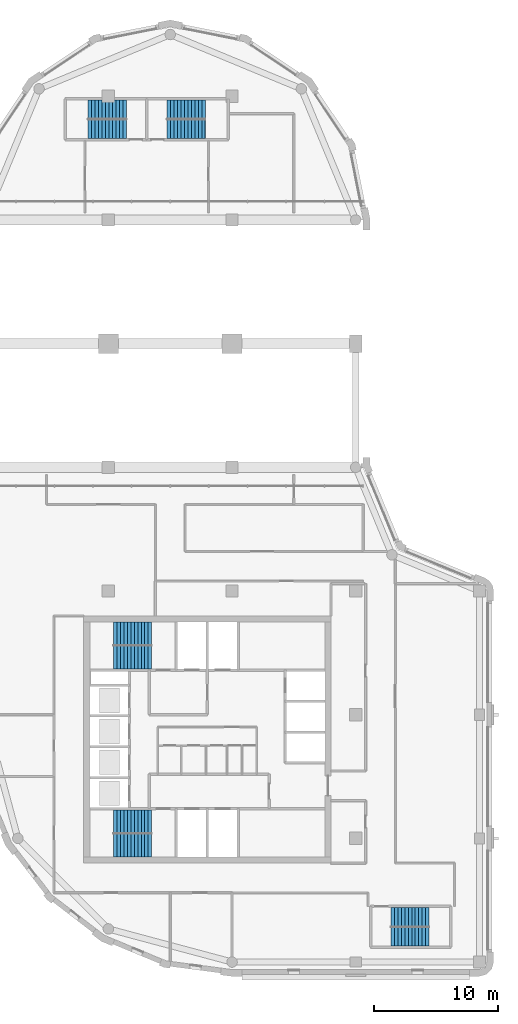
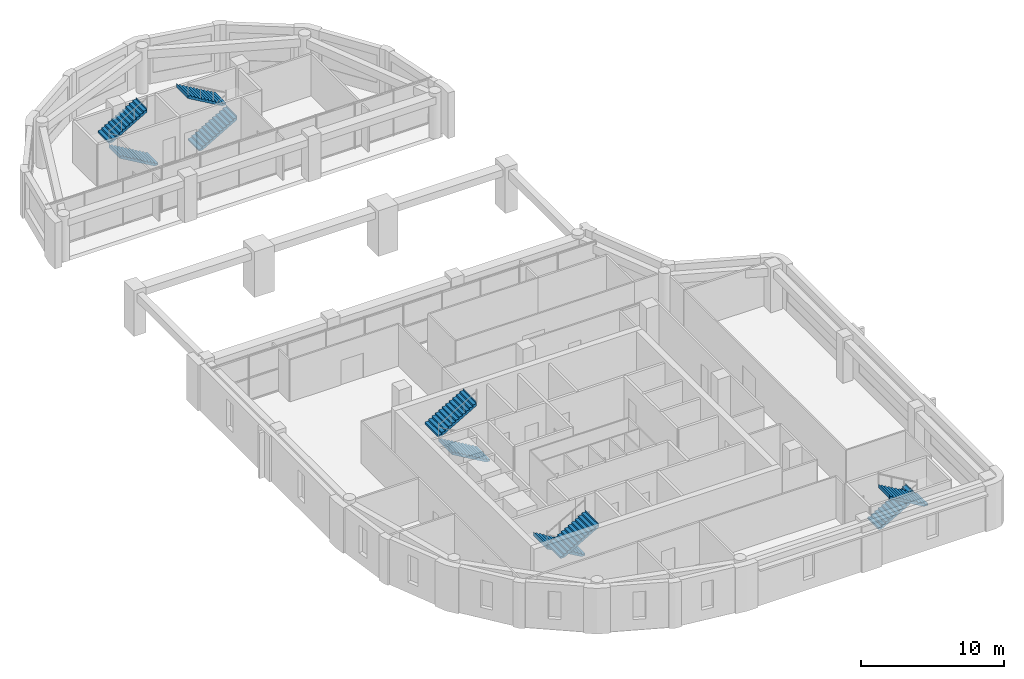
# One storey, part 9 of 11: 10 stair flights, 5 elements without a shape of their own.
"""IFC4 building model written with IfcOpenShell, lengths in metres."""

from ifc_helpers import new_model, si_unit, direction, frame, origin, place, context, subcontext, project, spatial, polyline, outline, extrude, material, type_object, element, aggregate, save


model = new_model("IFC4")

# Units and contexts
model_context = context("Model", 3, precision=1e-05, world=origin(), true_north=direction((0.0, 1.0)))
body_context = subcontext(model_context, "Body", "Model", "MODEL_VIEW")
ifc_project = project(units=[si_unit("LENGTHUNIT", "METRE"), si_unit("AREAUNIT", "SQUARE_METRE"), si_unit("VOLUMEUNIT", "CUBIC_METRE"), si_unit("PLANEANGLEUNIT", "RADIAN"), si_unit("MASSUNIT", "GRAM", prefix="KILO")], contexts=[model_context])

# Site, building, storey
site_placement = place(None, origin())
site = spatial("IfcSite", under=ifc_project, at=site_placement, CompositionType="ELEMENT")
building_placement = place(site_placement, origin())
building = spatial("IfcBuilding", under=site, at=building_placement, Name="Qaws Garden Tower", CompositionType="ELEMENT")
storey_placement = place(building_placement, frame((0.0, 0.0, 317.699951171875)))
storey = spatial("IfcBuildingStorey", under=building, at=storey_placement, Name="L77", CompositionType="ELEMENT", Elevation=317.699951171875)

# Stair, stair flights
ifc_material_1 = material(Name="Concrete C40", Category="concrete")
stair_type_1 = type_object("IfcStairType", Name="Exit stair 1350", PredefinedType="HALF_TURN_STAIR", material=ifc_material_1)
placement = place(storey_placement, origin())
stair_1 = element("IfcStair", 1, at=placement, inside=storey, type_object=stair_type_1, Name="Stair 5", PredefinedType="HALF_TURN_STAIR")
ifc_material_2 = material(Name="Concrete C40", Category="concrete")
stair_flight_type_1 = type_object("IfcStairFlightType", Name="Stair flight 1350", PredefinedType="STRAIGHT", material=ifc_material_2)
stair_flight_1_placement = place(storey_placement, frame((32.85009765625, 3.625, 0.0), z_axis=(0.0, 0.0, 1.0), x_axis=(1.0, 0.0, 0.0)))
stair_flight_1 = element("IfcStairFlight", 2, at=stair_flight_1_placement, type_object=stair_flight_type_1, Name="ST5 flight 1", NumberOfRisers=12, NumberOfTreads=11, PredefinedType="STRAIGHT", RiserHeight=0.1625, TreadLength=0.28, context=body_context, shape_type="SweptSolid", body=[
    extrude(outline(polyline([(-0.0029296875, 0.0), (-0.0029296875, 0.16259765625), (0.0, 0.16259765625), (0.280029296875, 0.16259765625), (0.280029296875, 0.324951171875), (0.56005859375, 0.324951171875), (0.56005859375, 0.487548828125), (0.840087890625, 0.487548828125), (0.840087890625, 0.64990234375), (1.1201171875, 0.64990234375), (1.1201171875, 0.8125), (1.39990234375, 0.8125), (1.39990234375, 0.97509765625), (1.679931640625, 0.97509765625), (1.679931640625, 1.137451171875), (1.9599609375, 1.137451171875), (1.9599609375, 1.300048828125), (2.239990234375, 1.300048828125), (2.239990234375, 1.46240234375), (2.52001953125, 1.46240234375), (2.52001953125, 1.625), (2.800048828125, 1.625), (2.800048828125, 1.78759765625), (3.080078125, 1.78759765625), (3.080078125, 1.949951171875), (3.0830078125, 1.949951171875), (3.0830078125, 1.6142578125), (3.080078125, 1.6142578125), (0.298583984375, 0.0), (-0.0029296875, 0.0)])), frame((0.0, 0.77490234375, 0.0), z_axis=(0.0, -1.0, 0.0), x_axis=(1.0, 0.0, 0.0)), (0.0, 0.0, 1.0), 1.550048828125),
])
stair_flight_2_placement = place(storey_placement, frame((35.929931640625, 2.074951171875, 1.949951171875), z_axis=(0.0, 0.0, 1.0), x_axis=(-1.0, 0.0, 0.0)))
stair_flight_2 = element("IfcStairFlight", 3, at=stair_flight_2_placement, type_object=stair_flight_type_1, Name="ST5 flight 2", NumberOfRisers=12, NumberOfTreads=11, PredefinedType="STRAIGHT", RiserHeight=0.1625, TreadLength=0.28, context=body_context, shape_type="SweptSolid", body=[
    extrude(outline(polyline([(-0.0029296875, 0.0), (-0.0029296875, 0.16259765625), (0.0, 0.16259765625), (0.280029296875, 0.16259765625), (0.280029296875, 0.324951171875), (0.56005859375, 0.324951171875), (0.56005859375, 0.487548828125), (0.840087890625, 0.487548828125), (0.840087890625, 0.64990234375), (1.1201171875, 0.64990234375), (1.1201171875, 0.8125), (1.39990234375, 0.8125), (1.39990234375, 0.97509765625), (1.679931640625, 0.97509765625), (1.679931640625, 1.137451171875), (1.9599609375, 1.137451171875), (1.9599609375, 1.300048828125), (2.239990234375, 1.300048828125), (2.239990234375, 1.46240234375), (2.52001953125, 1.46240234375), (2.52001953125, 1.625), (2.800048828125, 1.625), (2.800048828125, 1.78759765625), (3.080078125, 1.78759765625), (3.080078125, 1.949951171875), (3.0830078125, 1.949951171875), (3.0830078125, 1.6142578125), (3.080078125, 1.6142578125), (0.298583984375, 0.0), (-0.0029296875, 0.0)])), frame((0.0, 0.77490234375, 0.0), z_axis=(0.0, -1.0, 0.0), x_axis=(1.0, 0.0, 0.0)), (0.0, 0.0, 1.0), 1.550048828125),
])
aggregate(stair_1, [stair_flight_1, stair_flight_2])

stair_2 = element("IfcStair", 4, at=placement, inside=storey, type_object=stair_type_1, Name="Stair 6", PredefinedType="HALF_TURN_STAIR")
stair_flight_3_placement = place(storey_placement, frame((11.449951171875, 67.375, 0.0), z_axis=(0.0, 0.0, 1.0), x_axis=(-1.0, 0.0, 0.0)))
stair_flight_3 = element("IfcStairFlight", 5, at=stair_flight_3_placement, type_object=stair_flight_type_1, Name="ST6 flight 1", NumberOfRisers=12, NumberOfTreads=11, PredefinedType="STRAIGHT", RiserHeight=0.1625, TreadLength=0.28, context=body_context, shape_type="SweptSolid", body=[
    extrude(outline(polyline([(-0.0029296875, 0.0), (-0.0029296875, 0.16259765625), (0.0, 0.16259765625), (0.280029296875, 0.16259765625), (0.280029296875, 0.324951171875), (0.56005859375, 0.324951171875), (0.56005859375, 0.487548828125), (0.840087890625, 0.487548828125), (0.840087890625, 0.64990234375), (1.1201171875, 0.64990234375), (1.1201171875, 0.8125), (1.39990234375, 0.8125), (1.39990234375, 0.97509765625), (1.679931640625, 0.97509765625), (1.679931640625, 1.137451171875), (1.9599609375, 1.137451171875), (1.9599609375, 1.300048828125), (2.239990234375, 1.300048828125), (2.239990234375, 1.46240234375), (2.52001953125, 1.46240234375), (2.52001953125, 1.625), (2.800048828125, 1.625), (2.800048828125, 1.78759765625), (3.080078125, 1.78759765625), (3.080078125, 1.949951171875), (3.0830078125, 1.949951171875), (3.0830078125, 1.6142578125), (3.080078125, 1.6142578125), (0.298583984375, 0.0), (-0.0029296875, 0.0)])), frame((0.0, 0.77490234375, 0.0), z_axis=(0.0, -1.0, 0.0), x_axis=(1.0, 0.0, 0.0)), (0.0, 0.0, 1.0), 1.550048828125),
])
stair_flight_4_placement = place(storey_placement, frame((8.3701171875, 68.925048828125, 1.949951171875), z_axis=(0.0, 0.0, 1.0), x_axis=(1.0, 0.0, 0.0)))
stair_flight_4 = element("IfcStairFlight", 6, at=stair_flight_4_placement, type_object=stair_flight_type_1, Name="ST6 flight 2", NumberOfRisers=12, NumberOfTreads=11, PredefinedType="STRAIGHT", RiserHeight=0.1625, TreadLength=0.28, context=body_context, shape_type="SweptSolid", body=[
    extrude(outline(polyline([(-0.0029296875, 0.0), (-0.0029296875, 0.16259765625), (0.0, 0.16259765625), (0.280029296875, 0.16259765625), (0.280029296875, 0.324951171875), (0.56005859375, 0.324951171875), (0.56005859375, 0.487548828125), (0.840087890625, 0.487548828125), (0.840087890625, 0.64990234375), (1.1201171875, 0.64990234375), (1.1201171875, 0.8125), (1.39990234375, 0.8125), (1.39990234375, 0.97509765625), (1.679931640625, 0.97509765625), (1.679931640625, 1.137451171875), (1.9599609375, 1.137451171875), (1.9599609375, 1.300048828125), (2.239990234375, 1.300048828125), (2.239990234375, 1.46240234375), (2.52001953125, 1.46240234375), (2.52001953125, 1.625), (2.800048828125, 1.625), (2.800048828125, 1.78759765625), (3.080078125, 1.78759765625), (3.080078125, 1.949951171875), (3.0830078125, 1.949951171875), (3.0830078125, 1.6142578125), (3.080078125, 1.6142578125), (0.298583984375, 0.0), (-0.0029296875, 0.0)])), frame((0.0, 0.77490234375, 0.0), z_axis=(0.0, -1.0, 0.0), x_axis=(1.0, 0.0, 0.0)), (0.0, 0.0, 1.0), 1.550048828125),
])
aggregate(stair_2, [stair_flight_3, stair_flight_4])

stair_3 = element("IfcStair", 7, at=placement, inside=storey, type_object=stair_type_1, Name="Stair 7", PredefinedType="HALF_TURN_STAIR")
stair_flight_5_placement = place(storey_placement, frame((14.75, 67.375, 0.0), z_axis=(0.0, 0.0, 1.0), x_axis=(1.0, 0.0, 0.0)))
stair_flight_5 = element("IfcStairFlight", 8, at=stair_flight_5_placement, type_object=stair_flight_type_1, Name="ST7 flight 1", NumberOfRisers=12, NumberOfTreads=11, PredefinedType="STRAIGHT", RiserHeight=0.1625, TreadLength=0.28, context=body_context, shape_type="SweptSolid", body=[
    extrude(outline(polyline([(-0.0029296875, 0.0), (-0.0029296875, 0.16259765625), (0.0, 0.16259765625), (0.280029296875, 0.16259765625), (0.280029296875, 0.324951171875), (0.56005859375, 0.324951171875), (0.56005859375, 0.487548828125), (0.840087890625, 0.487548828125), (0.840087890625, 0.64990234375), (1.1201171875, 0.64990234375), (1.1201171875, 0.8125), (1.39990234375, 0.8125), (1.39990234375, 0.97509765625), (1.679931640625, 0.97509765625), (1.679931640625, 1.137451171875), (1.9599609375, 1.137451171875), (1.9599609375, 1.300048828125), (2.239990234375, 1.300048828125), (2.239990234375, 1.46240234375), (2.52001953125, 1.46240234375), (2.52001953125, 1.625), (2.800048828125, 1.625), (2.800048828125, 1.78759765625), (3.080078125, 1.78759765625), (3.080078125, 1.949951171875), (3.0830078125, 1.949951171875), (3.0830078125, 1.6142578125), (3.080078125, 1.6142578125), (0.298583984375, 0.0), (-0.0029296875, 0.0)])), frame((0.0, 0.77490234375, 0.0), z_axis=(0.0, -1.0, 0.0), x_axis=(1.0, 0.0, 0.0)), (0.0, 0.0, 1.0), 1.550048828125),
])
stair_flight_6_placement = place(storey_placement, frame((17.830078125, 68.925048828125, 1.949951171875), z_axis=(0.0, 0.0, 1.0), x_axis=(-1.0, 0.0, 0.0)))
stair_flight_6 = element("IfcStairFlight", 9, at=stair_flight_6_placement, type_object=stair_flight_type_1, Name="ST7 flight 2", NumberOfRisers=12, NumberOfTreads=11, PredefinedType="STRAIGHT", RiserHeight=0.1625, TreadLength=0.28, context=body_context, shape_type="SweptSolid", body=[
    extrude(outline(polyline([(-0.0029296875, 0.0), (-0.0029296875, 0.16259765625), (0.0, 0.16259765625), (0.280029296875, 0.16259765625), (0.280029296875, 0.324951171875), (0.56005859375, 0.324951171875), (0.56005859375, 0.487548828125), (0.840087890625, 0.487548828125), (0.840087890625, 0.64990234375), (1.1201171875, 0.64990234375), (1.1201171875, 0.8125), (1.39990234375, 0.8125), (1.39990234375, 0.97509765625), (1.679931640625, 0.97509765625), (1.679931640625, 1.137451171875), (1.9599609375, 1.137451171875), (1.9599609375, 1.300048828125), (2.239990234375, 1.300048828125), (2.239990234375, 1.46240234375), (2.52001953125, 1.46240234375), (2.52001953125, 1.625), (2.800048828125, 1.625), (2.800048828125, 1.78759765625), (3.080078125, 1.78759765625), (3.080078125, 1.949951171875), (3.0830078125, 1.949951171875), (3.0830078125, 1.6142578125), (3.080078125, 1.6142578125), (0.298583984375, 0.0), (-0.0029296875, 0.0)])), frame((0.0, 0.77490234375, 0.0), z_axis=(0.0, -1.0, 0.0), x_axis=(1.0, 0.0, 0.0)), (0.0, 0.0, 1.0), 1.550048828125),
])
aggregate(stair_3, [stair_flight_5, stair_flight_6])

ifc_material_3 = material(Name="Concrete C40", Category="concrete")
stair_type_2 = type_object("IfcStairType", Name="Exit stair 1500", PredefinedType="HALF_TURN_STAIR", material=ifc_material_3)
stair_4 = element("IfcStair", 10, at=placement, inside=storey, type_object=stair_type_2, Name="Stair 1", PredefinedType="HALF_TURN_STAIR")
ifc_material_4 = material(Name="Concrete C40", Category="concrete")
stair_flight_type_2 = type_object("IfcStairFlightType", Name="Stair flight 1500", PredefinedType="STRAIGHT", material=ifc_material_4)
stair_flight_7_placement = place(storey_placement, frame((13.5, 11.35009765625, 0.0), z_axis=(0.0, 0.0, 1.0), x_axis=(-1.0, 0.0, 0.0)))
stair_flight_7 = element("IfcStairFlight", 11, at=stair_flight_7_placement, type_object=stair_flight_type_2, Name="ST1 flight 1", NumberOfRisers=12, NumberOfTreads=11, PredefinedType="STRAIGHT", RiserHeight=0.1625, TreadLength=0.28, context=body_context, shape_type="SweptSolid", body=[
    extrude(outline(polyline([(-0.0029296875, 0.0), (-0.0029296875, 0.16259765625), (0.0, 0.16259765625), (0.280029296875, 0.16259765625), (0.280029296875, 0.324951171875), (0.56005859375, 0.324951171875), (0.56005859375, 0.487548828125), (0.840087890625, 0.487548828125), (0.840087890625, 0.64990234375), (1.1201171875, 0.64990234375), (1.1201171875, 0.8125), (1.39990234375, 0.8125), (1.39990234375, 0.97509765625), (1.679931640625, 0.97509765625), (1.679931640625, 1.137451171875), (1.9599609375, 1.137451171875), (1.9599609375, 1.300048828125), (2.239990234375, 1.300048828125), (2.239990234375, 1.46240234375), (2.52001953125, 1.46240234375), (2.52001953125, 1.625), (2.800048828125, 1.625), (2.800048828125, 1.78759765625), (3.080078125, 1.78759765625), (3.080078125, 1.949951171875), (3.0830078125, 1.949951171875), (3.0830078125, 1.6142578125), (3.080078125, 1.6142578125), (0.298583984375, 0.0), (-0.0029296875, 0.0)])), frame((0.0, 0.949951171875, 0.0), z_axis=(0.0, -1.0, 0.0), x_axis=(1.0, 0.0, 0.0)), (0.0, 0.0, 1.0), 1.89990234375),
])
stair_flight_8_placement = place(storey_placement, frame((10.419921875, 9.449951171875, 1.949951171875), z_axis=(0.0, 0.0, 1.0), x_axis=(1.0, 0.0, 0.0)))
stair_flight_8 = element("IfcStairFlight", 12, at=stair_flight_8_placement, type_object=stair_flight_type_2, Name="ST1 flight 2", NumberOfRisers=12, NumberOfTreads=11, PredefinedType="STRAIGHT", RiserHeight=0.1625, TreadLength=0.28, context=body_context, shape_type="SweptSolid", body=[
    extrude(outline(polyline([(-0.0029296875, 0.0), (-0.0029296875, 0.16259765625), (0.0, 0.16259765625), (0.280029296875, 0.16259765625), (0.280029296875, 0.324951171875), (0.56005859375, 0.324951171875), (0.56005859375, 0.487548828125), (0.840087890625, 0.487548828125), (0.840087890625, 0.64990234375), (1.1201171875, 0.64990234375), (1.1201171875, 0.8125), (1.39990234375, 0.8125), (1.39990234375, 0.97509765625), (1.679931640625, 0.97509765625), (1.679931640625, 1.137451171875), (1.9599609375, 1.137451171875), (1.9599609375, 1.300048828125), (2.239990234375, 1.300048828125), (2.239990234375, 1.46240234375), (2.52001953125, 1.46240234375), (2.52001953125, 1.625), (2.800048828125, 1.625), (2.800048828125, 1.78759765625), (3.080078125, 1.78759765625), (3.080078125, 1.949951171875), (3.0830078125, 1.949951171875), (3.0830078125, 1.6142578125), (3.080078125, 1.6142578125), (0.298583984375, 0.0), (-0.0029296875, 0.0)])), frame((0.0, 0.949951171875, 0.0), z_axis=(0.0, -1.0, 0.0), x_axis=(1.0, 0.0, 0.0)), (0.0, 0.0, 1.0), 1.89990234375),
])
aggregate(stair_4, [stair_flight_7, stair_flight_8])

stair_5 = element("IfcStair", 13, at=placement, inside=storey, type_object=stair_type_2, Name="Stair 4", PredefinedType="HALF_TURN_STAIR")
stair_flight_9_placement = place(storey_placement, frame((13.5, 24.64990234375, 0.0), z_axis=(0.0, 0.0, 1.0), x_axis=(-1.0, 0.0, 0.0)))
stair_flight_9 = element("IfcStairFlight", 14, at=stair_flight_9_placement, type_object=stair_flight_type_2, Name="ST4 flight 1", NumberOfRisers=12, NumberOfTreads=11, PredefinedType="STRAIGHT", RiserHeight=0.1625, TreadLength=0.28, context=body_context, shape_type="SweptSolid", body=[
    extrude(outline(polyline([(-0.0029296875, 0.0), (-0.0029296875, 0.16259765625), (0.0, 0.16259765625), (0.280029296875, 0.16259765625), (0.280029296875, 0.324951171875), (0.56005859375, 0.324951171875), (0.56005859375, 0.487548828125), (0.840087890625, 0.487548828125), (0.840087890625, 0.64990234375), (1.1201171875, 0.64990234375), (1.1201171875, 0.8125), (1.39990234375, 0.8125), (1.39990234375, 0.97509765625), (1.679931640625, 0.97509765625), (1.679931640625, 1.137451171875), (1.9599609375, 1.137451171875), (1.9599609375, 1.300048828125), (2.239990234375, 1.300048828125), (2.239990234375, 1.46240234375), (2.52001953125, 1.46240234375), (2.52001953125, 1.625), (2.800048828125, 1.625), (2.800048828125, 1.78759765625), (3.080078125, 1.78759765625), (3.080078125, 1.949951171875), (3.0830078125, 1.949951171875), (3.0830078125, 1.6142578125), (3.080078125, 1.6142578125), (0.298583984375, 0.0), (-0.0029296875, 0.0)])), frame((0.0, 0.94482421875, 0.0), z_axis=(0.0, -1.0, 0.0), x_axis=(1.0, 0.0, 0.0)), (0.0, 0.0, 1.0), 1.889892578125),
])
stair_flight_10_placement = place(storey_placement, frame((10.419921875, 26.550048828125, 1.949951171875), z_axis=(0.0, 0.0, 1.0), x_axis=(1.0, 0.0, 0.0)))
stair_flight_10 = element("IfcStairFlight", 15, at=stair_flight_10_placement, type_object=stair_flight_type_2, Name="ST4 flight 2", NumberOfRisers=12, NumberOfTreads=11, PredefinedType="STRAIGHT", RiserHeight=0.1625, TreadLength=0.28, context=body_context, shape_type="SweptSolid", body=[
    extrude(outline(polyline([(-0.0029296875, 0.0), (-0.0029296875, 0.16259765625), (0.0, 0.16259765625), (0.280029296875, 0.16259765625), (0.280029296875, 0.324951171875), (0.56005859375, 0.324951171875), (0.56005859375, 0.487548828125), (0.840087890625, 0.487548828125), (0.840087890625, 0.64990234375), (1.1201171875, 0.64990234375), (1.1201171875, 0.8125), (1.39990234375, 0.8125), (1.39990234375, 0.97509765625), (1.679931640625, 0.97509765625), (1.679931640625, 1.137451171875), (1.9599609375, 1.137451171875), (1.9599609375, 1.300048828125), (2.239990234375, 1.300048828125), (2.239990234375, 1.46240234375), (2.52001953125, 1.46240234375), (2.52001953125, 1.625), (2.800048828125, 1.625), (2.800048828125, 1.78759765625), (3.080078125, 1.78759765625), (3.080078125, 1.949951171875), (3.0830078125, 1.949951171875), (3.0830078125, 1.6142578125), (3.080078125, 1.6142578125), (0.298583984375, 0.0), (-0.0029296875, 0.0)])), frame((0.0, 0.94482421875, 0.0), z_axis=(0.0, -1.0, 0.0), x_axis=(1.0, 0.0, 0.0)), (0.0, 0.0, 1.0), 1.889892578125),
])
aggregate(stair_5, [stair_flight_9, stair_flight_10])

save(model, "model.ifc")
